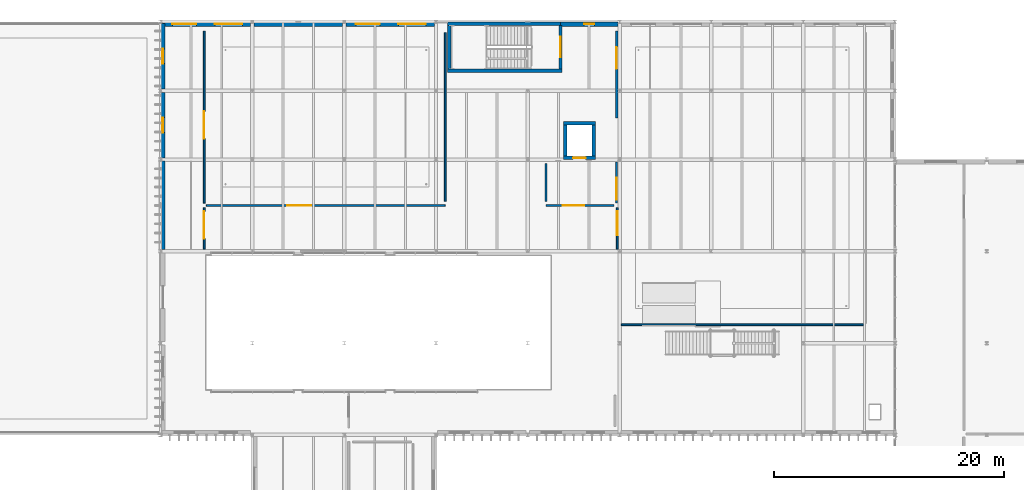
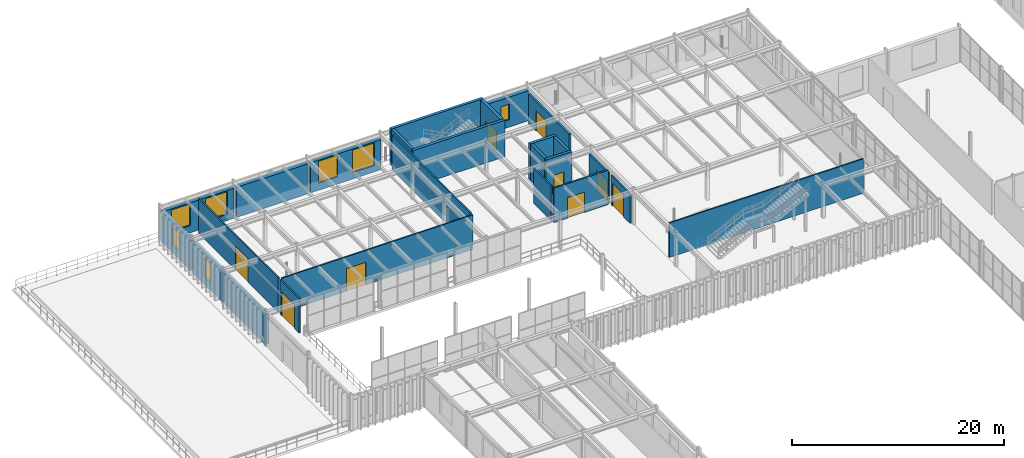
# One storey, part 86 of 122: 25 walls, 9 doors, 7 windows, 16 openings.
"""IFC4 building model written with IfcOpenShell, lengths in metres."""

from ifc_helpers import new_model, si_unit, direction, frame, frame_2d, origin, place, context, subcontext, project, spatial, rectangle, extrude, material, layer, layer_set, type_object, element, fill, save


model = new_model("IFC4")

# Units and contexts
model_context = context("Model", 3, precision=1e-05, world=origin(), true_north=direction((0.0, 1.0)))
body_context = subcontext(model_context, "Body", "Model", "MODEL_VIEW")
ifc_project = project(units=[si_unit("LENGTHUNIT", "METRE"), si_unit("AREAUNIT", "SQUARE_METRE"), si_unit("VOLUMEUNIT", "CUBIC_METRE"), si_unit("PLANEANGLEUNIT", "RADIAN"), si_unit("MASSUNIT", "GRAM", prefix="KILO")], contexts=[model_context])

# Site, building, storey
site_placement = place(None, origin())
site = spatial("IfcSite", under=ifc_project, at=site_placement, CompositionType="ELEMENT")
building_placement = place(site_placement, origin())
building = spatial("IfcBuilding", under=site, at=building_placement, Name="Sundkrona Museum", CompositionType="ELEMENT")
storey_placement = place(building_placement, frame((0.0, 0.0, 5.39990234375)))
storey = spatial("IfcBuildingStorey", under=building, at=storey_placement, Name="L01", CompositionType="ELEMENT", Elevation=5.39990234375)

# Walls
ifc_material_1 = material(Name="Concrete C40/50", Category="concrete")
ifc_layer_1 = layer(ifc_material_1, 0.300048828125)
ifc_layer_set_1 = layer_set([ifc_layer_1], Name="Concrete C40/50")
wall_type_1 = type_object("IfcWallType", Name="W-CORE-300", PredefinedType="SHEAR", material=ifc_layer_set_1)
for number, where, z_axis, x_axis, name in (
    (1, (41.0, 109.75, 0.0), (0.0, 0.0, 1.0), (1.0, 0.0, 0.0), "L01 ST-3 Core Shear Wall South"),
    (2, (41.0, 113.85009765625, 0.0), (0.0, 0.0, 1.0), (1.0, 0.0, 0.0), "L01 ST-3 Core Shear Wall North"),
):
    element("IfcWall", number, at=place(storey_placement, frame(where, z_axis=z_axis, x_axis=x_axis)), inside=storey, type_object=wall_type_1, Name=name, PredefinedType="SHEAR", context=body_context, shape_type="SweptSolid", body=[
        extrude(rectangle(XDim=10.0, YDim=0.300048828125, at=frame_2d((5.0, 0.0))), origin(), (0.0, 0.0, 1.0), 4.2001953125),
    ])
wall_1_placement = place(storey_placement, frame((41.14990234375, 109.909912109375, 0.0), z_axis=(0.0, 0.0, 1.0), x_axis=(0.0, 1.0, 0.0)))
element("IfcWall", 3, at=wall_1_placement, inside=storey, type_object=wall_type_1, Name="L01 ST-3 Core Shear Wall West", PredefinedType="SHEAR", context=body_context, shape_type="SweptSolid", body=[
    extrude(rectangle(XDim=3.780029296875, YDim=0.300048828125, at=frame_2d((1.89013671875, 0.0))), origin(), (0.0, 0.0, 1.0), 4.2001953125),
])

# Wall, opening, door
wall_2_placement = place(storey_placement, frame((50.85009765625, 109.909912109375, 0.0), z_axis=(0.0, 0.0, 1.0), x_axis=(0.0, 1.0, 0.0)))
wall_2 = element("IfcWall", 4, at=wall_2_placement, inside=storey, type_object=wall_type_1, Name="L01 ST-3 Core Shear Wall East", PredefinedType="SHEAR", context=body_context, shape_type="SweptSolid", body=[
    extrude(rectangle(XDim=3.780029296875, YDim=0.300048828125, at=frame_2d((1.89013671875, 0.0))), origin(), (0.0, 0.0, 1.0), 4.2001953125),
])
opening_1_placement = place(wall_2_placement, frame((0.989990234375, 0.0, 0.0)))
opening_1 = element("IfcOpeningElement", 5, at=opening_1_placement, cuts=wall_2, Name="Opening D-FD60", PredefinedType="OPENING", context=body_context, shape_type="SweptSolid", body=[
    extrude(rectangle(XDim=1.800048828125, YDim=2.199951171875, at=frame_2d((0.89990234375, 1.10009765625))), frame((0.0, 0.159912109375, 0.0), z_axis=(0.0, -1.0, 0.0), x_axis=(1.0, 0.0, 0.0)), (0.0, 0.0, 1.0), 0.320068359375),
])
ifc_material_2 = material(Name="Steel S355J2 Fire Door Leaf", Category="steel")
door_type_1 = type_object("IfcDoorType", Name="D-FD60", OperationType="DOUBLE_DOOR_SINGLE_SWING", PredefinedType="DOOR", material=ifc_material_2)
door_1_placement = place(opening_1_placement, origin())
door_1 = element("IfcDoor", 6, at=door_1_placement, inside=storey, type_object=door_type_1, Name="L01 ST-3 Protected Escape Stair Door DR-ST-3-L01", OperationType="DOUBLE_DOOR_SINGLE_SWING", OverallHeight=2.199951171875, OverallWidth=1.800048828125, PredefinedType="DOOR", context=body_context, shape_type="SweptSolid", body=[
    extrude(rectangle(XDim=1.800048828125, YDim=2.199951171875, at=frame_2d((0.89990234375, 1.10009765625))), frame((0.0, 0.02490234375, 0.0), z_axis=(0.0, -1.0, 0.0), x_axis=(1.0, 0.0, 0.0)), (0.0, 0.0, 1.0), 0.050048828125),
])
fill(opening_1, door_1)

wall_3_placement = place(storey_placement, frame((51.10009765625, 102.14990234375, 0.0), z_axis=(0.0, 0.0, 1.0), x_axis=(1.0, 0.0, 0.0)))
wall_3 = element("IfcWall", 7, at=wall_3_placement, inside=storey, type_object=wall_type_1, Name="L01 PL-3 Lift Shaft Wall South", PredefinedType="SHEAR", context=body_context, shape_type="SweptSolid", body=[
    extrude(rectangle(XDim=2.7998046875, YDim=0.300048828125, at=frame_2d((1.39990234375, 0.0))), origin(), (0.0, 0.0, 1.0), 4.2001953125),
])
opening_2_placement = place(wall_3_placement, frame((0.85009765625, 0.0, 0.0)))
opening_2 = element("IfcOpeningElement", 8, at=opening_2_placement, cuts=wall_3, Name="Opening LD-01", PredefinedType="OPENING", context=body_context, shape_type="SweptSolid", body=[
    extrude(rectangle(XDim=1.10009765625, YDim=2.14990234375, at=frame_2d((0.550048828125, 1.074951171875))), frame((0.0, 0.159912109375, 0.0), z_axis=(0.0, -1.0, 0.0), x_axis=(1.0, 0.0, 0.0)), (0.0, 0.0, 1.0), 0.320068359375),
])
ifc_material_3 = material(Name="Brushed Stainless Steel Lift Door", Category="steel")
door_type_2 = type_object("IfcDoorType", Name="LD-01", OperationType="SLIDING_TO_LEFT", PredefinedType="DOOR", material=ifc_material_3)
door_2_placement = place(opening_2_placement, origin())
door_2 = element("IfcDoor", 9, at=door_2_placement, inside=storey, type_object=door_type_2, Name="L01 North-West Gallery Passenger Lift PL-3 Landing Door DR-LIFT-PL-3-L01", OperationType="SLIDING_TO_LEFT", OverallHeight=2.14990234375, OverallWidth=1.10009765625, PredefinedType="DOOR", context=body_context, shape_type="SweptSolid", body=[
    extrude(rectangle(XDim=1.10009765625, YDim=2.14990234375, at=frame_2d((0.550048828125, 1.074951171875))), frame((0.0, 0.02490234375, 0.0), z_axis=(0.0, -1.0, 0.0), x_axis=(1.0, 0.0, 0.0)), (0.0, 0.0, 1.0), 0.050048828125),
])
fill(opening_2, door_2)

# Walls
wall_4_placement = place(storey_placement, frame((51.10009765625, 105.14990234375, 0.0), z_axis=(0.0, 0.0, 1.0), x_axis=(1.0, 0.0, 0.0)))
element("IfcWall", 10, at=wall_4_placement, inside=storey, type_object=wall_type_1, Name="L01 PL-3 Lift Shaft Wall North", PredefinedType="SHEAR", context=body_context, shape_type="SweptSolid", body=[
    extrude(rectangle(XDim=2.7998046875, YDim=0.300048828125, at=frame_2d((1.39990234375, 0.0))), origin(), (0.0, 0.0, 1.0), 4.2001953125),
])
for number, where, z_axis, x_axis, name in (
    (11, (51.25, 102.31005859375, 0.0), (0.0, 0.0, 1.0), (0.0, 1.0, 0.0), "L01 PL-3 Lift Shaft Wall West"),
    (12, (53.75, 102.31005859375, 0.0), (0.0, 0.0, 1.0), (0.0, 1.0, 0.0), "L01 PL-3 Lift Shaft Wall East"),
):
    element("IfcWall", number, at=place(storey_placement, frame(where, z_axis=z_axis, x_axis=x_axis)), inside=storey, type_object=wall_type_1, Name=name, PredefinedType="SHEAR", context=body_context, shape_type="SweptSolid", body=[
        extrude(rectangle(XDim=2.679931640625, YDim=0.300048828125, at=frame_2d((1.33984375, 0.0))), origin(), (0.0, 0.0, 1.0), 4.2001953125),
    ])
ifc_material_4 = material(Name="Scanian Polychrome Clay Brickwork 390 mm", Category="masonry")
ifc_layer_2 = layer(ifc_material_4, 0.389892578125)
ifc_layer_set_2 = layer_set([ifc_layer_2], Name="Scanian Polychrome Clay Brickwork 390 mm")
wall_type_2 = type_object("IfcWallType", Name="W-EX-390", PredefinedType="SOLIDWALL", material=ifc_layer_set_2)
wall_5_placement = place(storey_placement, frame((16.195068359375, 94.14208984375, 0.0), z_axis=(0.0, 0.0, 1.0), x_axis=(0.0, 1.0, 0.0)))
element("IfcWall", 13, at=wall_5_placement, inside=storey, type_object=wall_type_2, Name="L01 Facade Wall 0124", PredefinedType="SOLIDWALL", context=body_context, shape_type="SweptSolid", body=[
    extrude(rectangle(XDim=7.7158203125, YDim=0.389892578125, at=frame_2d((3.85791015625, 0.0))), origin(), (0.0, 0.0, 1.0), 3.455078125),
])

# Wall, opening, window
wall_6_placement = place(storey_placement, frame((16.195068359375, 102.14208984375, 0.0), z_axis=(0.0, 0.0, 1.0), x_axis=(0.0, 1.0, 0.0)))
wall_6 = element("IfcWall", 14, at=wall_6_placement, inside=storey, type_object=wall_type_2, Name="L01 Facade Wall 0125", PredefinedType="SOLIDWALL", context=body_context, shape_type="SweptSolid", body=[
    extrude(rectangle(XDim=5.7158203125, YDim=0.389892578125, at=frame_2d((2.85791015625, 0.0))), origin(), (0.0, 0.0, 1.0), 3.455078125),
])
opening_3_placement = place(wall_6_placement, frame((2.2080078125, 0.0, 0.85009765625)))
opening_3 = element("IfcOpeningElement", 15, at=opening_3_placement, cuts=wall_6, Name="Opening WN-GL-130x220", PredefinedType="OPENING", context=body_context, shape_type="SweptSolid", body=[
    extrude(rectangle(XDim=1.300048828125, YDim=2.199951171875, at=frame_2d((0.64990234375, 1.10009765625))), frame((0.0, 0.204833984375, 0.0), z_axis=(0.0, -1.0, 0.0), x_axis=(1.0, 0.0, 0.0)), (0.0, 0.0, 1.0), 0.409912109375),
])
ifc_material_5 = material(Name="Triple Low-E Argon Glazing in Bronze-Anodised Aluminium", Category="aluminium")
window_type_1 = type_object("IfcWindowType", Name="WN-GL-130x220", PartitioningType="SINGLE_PANEL", PredefinedType="WINDOW", material=ifc_material_5)
window_1_placement = place(opening_3_placement, origin())
window_1 = element("IfcWindow", 16, at=window_1_placement, inside=storey, type_object=window_type_1, Name="L01 Cabinet gallery window 1300x2200 WIN-L01-0170", OverallHeight=2.199951171875, OverallWidth=1.300048828125, PartitioningType="SINGLE_PANEL", PredefinedType="WINDOW", context=body_context, shape_type="SweptSolid", body=[
    extrude(rectangle(XDim=1.300048828125, YDim=2.199951171875, at=frame_2d((0.64990234375, 1.10009765625))), frame((0.0, 0.030029296875, 0.0), z_axis=(0.0, -1.0, 0.0), x_axis=(1.0, 0.0, 0.0)), (0.0, 0.0, 1.0), 0.06005859375),
])
fill(opening_3, window_1)

wall_7_placement = place(storey_placement, frame((16.195068359375, 108.14208984375, 0.0), z_axis=(0.0, 0.0, 1.0), x_axis=(0.0, 1.0, 0.0)))
wall_7 = element("IfcWall", 17, at=wall_7_placement, inside=storey, type_object=wall_type_2, Name="L01 Facade Wall 0126", PredefinedType="SOLIDWALL", context=body_context, shape_type="SweptSolid", body=[
    extrude(rectangle(XDim=5.7158203125, YDim=0.389892578125, at=frame_2d((2.85791015625, 0.0))), origin(), (0.0, 0.0, 1.0), 3.455078125),
])
opening_4_placement = place(wall_7_placement, frame((2.2080078125, 0.0, 0.85009765625)))
opening_4 = element("IfcOpeningElement", 18, at=opening_4_placement, cuts=wall_7, Name="Opening WN-GL-130x220", PredefinedType="OPENING", context=body_context, shape_type="SweptSolid", body=[
    extrude(rectangle(XDim=1.300048828125, YDim=2.199951171875, at=frame_2d((0.64990234375, 1.10009765625))), frame((0.0, 0.204833984375, 0.0), z_axis=(0.0, -1.0, 0.0), x_axis=(1.0, 0.0, 0.0)), (0.0, 0.0, 1.0), 0.409912109375),
])
window_2_placement = place(opening_4_placement, origin())
window_2 = element("IfcWindow", 19, at=window_2_placement, inside=storey, type_object=window_type_1, Name="L01 Cabinet gallery window 1300x2200 WIN-L01-0171", OverallHeight=2.199951171875, OverallWidth=1.300048828125, PartitioningType="SINGLE_PANEL", PredefinedType="WINDOW", context=body_context, shape_type="SweptSolid", body=[
    extrude(rectangle(XDim=1.300048828125, YDim=2.199951171875, at=frame_2d((0.64990234375, 1.10009765625))), frame((0.0, 0.030029296875, 0.0), z_axis=(0.0, -1.0, 0.0), x_axis=(1.0, 0.0, 0.0)), (0.0, 0.0, 1.0), 0.06005859375),
])
fill(opening_4, window_2)

# Wall, openings, windows
wall_8_placement = place(storey_placement, frame((16.14208984375, 113.804931640625, 0.0), z_axis=(0.0, 0.0, 1.0), x_axis=(1.0, 0.0, 0.0)))
wall_8 = element("IfcWall", 20, at=wall_8_placement, inside=storey, type_object=wall_type_2, Name="L01 Facade Wall 0127", PredefinedType="SOLIDWALL", context=body_context, shape_type="SweptSolid", body=[
    extrude(rectangle(XDim=7.7158203125, YDim=0.389892578125, at=frame_2d((3.85791015625, 0.0))), origin(), (0.0, 0.0, 1.0), 3.455078125),
])
opening_5_placement = place(wall_8_placement, frame((0.87890625, 0.0, 0.820068359375)))
opening_5 = element("IfcOpeningElement", 21, at=opening_5_placement, cuts=wall_8, Name="Opening WN-GL-210x250", PredefinedType="OPENING", context=body_context, shape_type="SweptSolid", body=[
    extrude(rectangle(XDim=2.10009765625, YDim=2.5, at=frame_2d((1.050048828125, 1.25))), frame((0.0, 0.204833984375, 0.0), z_axis=(0.0, -1.0, 0.0), x_axis=(1.0, 0.0, 0.0)), (0.0, 0.0, 1.0), 0.409912109375),
])
opening_6_placement = place(wall_8_placement, frame((4.5869140625, 0.0, 0.719970703125)))
opening_6 = element("IfcOpeningElement", 22, at=opening_6_placement, cuts=wall_8, Name="Opening WN-GL-240x260", PredefinedType="OPENING", context=body_context, shape_type="SweptSolid", body=[
    extrude(rectangle(XDim=2.39990234375, YDim=2.60009765625, at=frame_2d((1.199951171875, 1.300048828125))), frame((0.0, 0.204833984375, 0.0), z_axis=(0.0, -1.0, 0.0), x_axis=(1.0, 0.0, 0.0)), (0.0, 0.0, 1.0), 0.409912109375),
])
window_type_2 = type_object("IfcWindowType", Name="WN-GL-210x250", PartitioningType="DOUBLE_PANEL_VERTICAL", PredefinedType="WINDOW", material=ifc_material_5)
window_3_placement = place(opening_5_placement, origin())
window_3 = element("IfcWindow", 23, at=window_3_placement, inside=storey, type_object=window_type_2, Name="L01 Botanical court outlook window 2100x2500 WIN-L01-0172", OverallHeight=2.5, OverallWidth=2.10009765625, PartitioningType="DOUBLE_PANEL_VERTICAL", PredefinedType="WINDOW", context=body_context, shape_type="SweptSolid", body=[
    extrude(rectangle(XDim=2.10009765625, YDim=2.5, at=frame_2d((1.050048828125, 1.25))), frame((0.0, 0.030029296875, 0.0), z_axis=(0.0, -1.0, 0.0), x_axis=(1.0, 0.0, 0.0)), (0.0, 0.0, 1.0), 0.06005859375),
])
fill(opening_5, window_3)
window_type_3 = type_object("IfcWindowType", Name="WN-GL-240x260", PartitioningType="TRIPLE_PANEL_VERTICAL", PredefinedType="WINDOW", material=ifc_material_5)
window_4_placement = place(opening_6_placement, origin())
window_4 = element("IfcWindow", 24, at=window_4_placement, inside=storey, type_object=window_type_3, Name="L01 Cloister garden picture window 2400x2600 WIN-L01-0173", OverallHeight=2.60009765625, OverallWidth=2.39990234375, PartitioningType="TRIPLE_PANEL_VERTICAL", PredefinedType="WINDOW", context=body_context, shape_type="SweptSolid", body=[
    extrude(rectangle(XDim=2.39990234375, YDim=2.60009765625, at=frame_2d((1.199951171875, 1.300048828125))), frame((0.0, 0.030029296875, 0.0), z_axis=(0.0, -1.0, 0.0), x_axis=(1.0, 0.0, 0.0)), (0.0, 0.0, 1.0), 0.06005859375),
])
fill(opening_6, window_4)

# Wall
wall_9_placement = place(storey_placement, frame((24.14208984375, 113.804931640625, 0.0), z_axis=(0.0, 0.0, 1.0), x_axis=(1.0, 0.0, 0.0)))
element("IfcWall", 25, at=wall_9_placement, inside=storey, type_object=wall_type_2, Name="L01 Facade Wall 0128", PredefinedType="SOLIDWALL", context=body_context, shape_type="SweptSolid", body=[
    extrude(rectangle(XDim=7.7158203125, YDim=0.389892578125, at=frame_2d((3.85791015625, 0.0))), origin(), (0.0, 0.0, 1.0), 3.455078125),
])

# Wall, openings, windows
wall_10_placement = place(storey_placement, frame((32.14208984375, 113.804931640625, 0.0), z_axis=(0.0, 0.0, 1.0), x_axis=(1.0, 0.0, 0.0)))
wall_10 = element("IfcWall", 26, at=wall_10_placement, inside=storey, type_object=wall_type_2, Name="L01 Facade Wall 0129", PredefinedType="SOLIDWALL", context=body_context, shape_type="SweptSolid", body=[
    extrude(rectangle(XDim=7.7158203125, YDim=0.389892578125, at=frame_2d((3.85791015625, 0.0))), origin(), (0.0, 0.0, 1.0), 3.455078125),
])
opening_7_placement = place(wall_10_placement, frame((0.87890625, 0.0, 0.820068359375)))
opening_7 = element("IfcOpeningElement", 27, at=opening_7_placement, cuts=wall_10, Name="Opening WN-GL-210x250", PredefinedType="OPENING", context=body_context, shape_type="SweptSolid", body=[
    extrude(rectangle(XDim=2.10009765625, YDim=2.5, at=frame_2d((1.050048828125, 1.25))), frame((0.0, 0.204833984375, 0.0), z_axis=(0.0, -1.0, 0.0), x_axis=(1.0, 0.0, 0.0)), (0.0, 0.0, 1.0), 0.409912109375),
])
opening_8_placement = place(wall_10_placement, frame((4.5869140625, 0.0, 0.719970703125)))
opening_8 = element("IfcOpeningElement", 28, at=opening_8_placement, cuts=wall_10, Name="Opening WN-GL-240x260", PredefinedType="OPENING", context=body_context, shape_type="SweptSolid", body=[
    extrude(rectangle(XDim=2.39990234375, YDim=2.60009765625, at=frame_2d((1.199951171875, 1.300048828125))), frame((0.0, 0.204833984375, 0.0), z_axis=(0.0, -1.0, 0.0), x_axis=(1.0, 0.0, 0.0)), (0.0, 0.0, 1.0), 0.409912109375),
])
window_5_placement = place(opening_7_placement, origin())
window_5 = element("IfcWindow", 29, at=window_5_placement, inside=storey, type_object=window_type_2, Name="L01 Botanical court outlook window 2100x2500 WIN-L01-0174", OverallHeight=2.5, OverallWidth=2.10009765625, PartitioningType="DOUBLE_PANEL_VERTICAL", PredefinedType="WINDOW", context=body_context, shape_type="SweptSolid", body=[
    extrude(rectangle(XDim=2.10009765625, YDim=2.5, at=frame_2d((1.050048828125, 1.25))), frame((0.0, 0.030029296875, 0.0), z_axis=(0.0, -1.0, 0.0), x_axis=(1.0, 0.0, 0.0)), (0.0, 0.0, 1.0), 0.06005859375),
])
fill(opening_7, window_5)
window_6_placement = place(opening_8_placement, origin())
window_6 = element("IfcWindow", 30, at=window_6_placement, inside=storey, type_object=window_type_3, Name="L01 Cloister garden picture window 2400x2600 WIN-L01-0175", OverallHeight=2.60009765625, OverallWidth=2.39990234375, PartitioningType="TRIPLE_PANEL_VERTICAL", PredefinedType="WINDOW", context=body_context, shape_type="SweptSolid", body=[
    extrude(rectangle(XDim=2.39990234375, YDim=2.60009765625, at=frame_2d((1.199951171875, 1.300048828125))), frame((0.0, 0.030029296875, 0.0), z_axis=(0.0, -1.0, 0.0), x_axis=(1.0, 0.0, 0.0)), (0.0, 0.0, 1.0), 0.06005859375),
])
fill(opening_8, window_6)

# Wall, opening, window
wall_11_placement = place(storey_placement, frame((50.860107421875, 113.804931640625, 0.0), z_axis=(0.0, 0.0, 1.0), x_axis=(1.0, 0.0, 0.0)))
wall_11 = element("IfcWall", 31, at=wall_11_placement, inside=storey, type_object=wall_type_2, Name="L01 Facade Wall 0130", PredefinedType="SOLIDWALL", context=body_context, shape_type="SweptSolid", body=[
    extrude(rectangle(XDim=4.997802734375, YDim=0.389892578125, at=frame_2d((2.4990234375, 0.0))), origin(), (0.0, 0.0, 1.0), 3.455078125),
])
opening_9_placement = place(wall_11_placement, frame((2.049072265625, 0.0, 0.85009765625)))
opening_9 = element("IfcOpeningElement", 32, at=opening_9_placement, cuts=wall_11, Name="Opening WN-ST-090x180", PredefinedType="OPENING", context=body_context, shape_type="SweptSolid", body=[
    extrude(rectangle(XDim=0.89990234375, YDim=1.800048828125, at=frame_2d((0.449951171875, 0.89990234375))), frame((0.0, 0.204833984375, 0.0), z_axis=(0.0, -1.0, 0.0), x_axis=(1.0, 0.0, 0.0)), (0.0, 0.0, 1.0), 0.409912109375),
])
window_type_4 = type_object("IfcWindowType", Name="WN-ST-090x180", PartitioningType="SINGLE_PANEL", PredefinedType="WINDOW", material=ifc_material_5)
window_7_placement = place(opening_9_placement, origin())
window_7 = element("IfcWindow", 33, at=window_7_placement, inside=storey, type_object=window_type_4, Name="L01 Stair-core avenue daylight slot window 900x1800 WIN-L01-0176", OverallHeight=1.800048828125, OverallWidth=0.89990234375, PartitioningType="SINGLE_PANEL", PredefinedType="WINDOW", context=body_context, shape_type="SweptSolid", body=[
    extrude(rectangle(XDim=0.89990234375, YDim=1.800048828125, at=frame_2d((0.449951171875, 0.89990234375))), frame((0.0, 0.030029296875, 0.0), z_axis=(0.0, -1.0, 0.0), x_axis=(1.0, 0.0, 0.0)), (0.0, 0.0, 1.0), 0.06005859375),
])
fill(opening_9, window_7)

# Wall, opening, door
ifc_material_6 = material(Name="Autoclaved Aerated Masonry 225 mm", Category="masonry")
ifc_layer_3 = layer(ifc_material_6, 0.22509765625)
ifc_layer_set_3 = layer_set([ifc_layer_3], Name="Autoclaved Aerated Masonry 225 mm")
wall_type_3 = type_object("IfcWallType", Name="W-FF-225", PredefinedType="SOLIDWALL", material=ifc_layer_set_3)
wall_12_placement = place(storey_placement, frame((55.75, 105.60009765625, 0.0), z_axis=(0.0, 0.0, 1.0), x_axis=(0.0, 1.0, 0.0)))
wall_12 = element("IfcWall", 34, at=wall_12_placement, inside=storey, type_object=wall_type_3, Name="L01 Partition Core 3 Stair Lobby / Graphic Arts Cabinet", PredefinedType="SOLIDWALL", context=body_context, shape_type="SweptSolid", body=[
    extrude(rectangle(XDim=7.599853515625, YDim=0.22509765625, at=frame_2d((3.7998046875, 0.0))), origin(), (0.0, 0.0, 1.0), 3.420166015625),
])
opening_10_placement = place(wall_12_placement, frame((4.30712890625, 0.0, 0.0)))
opening_10 = element("IfcOpeningElement", 35, at=opening_10_placement, cuts=wall_12, Name="Opening D-AUD-190", PredefinedType="OPENING", context=body_context, shape_type="SweptSolid", body=[
    extrude(rectangle(XDim=1.89990234375, YDim=2.35009765625, at=frame_2d((0.949951171875, 1.175048828125))), frame((0.0, 0.12255859375, 0.0), z_axis=(0.0, -1.0, 0.0), x_axis=(1.0, 0.0, 0.0)), (0.0, 0.0, 1.0), 0.2451171875),
])
ifc_material_7 = material(Name="Acoustic Oak Fire Door", Category="other")
door_type_3 = type_object("IfcDoorType", Name="D-AUD-190", OperationType="DOUBLE_DOOR_SINGLE_SWING", PredefinedType="DOOR", material=ifc_material_7)
door_3_placement = place(opening_10_placement, origin())
door_3 = element("IfcDoor", 36, at=door_3_placement, inside=storey, type_object=door_type_3, Name="L01 Interior Door DR-ADJ-L01-0083", OperationType="DOUBLE_DOOR_SINGLE_SWING", OverallHeight=2.35009765625, OverallWidth=1.89990234375, PredefinedType="DOOR", context=body_context, shape_type="SweptSolid", body=[
    extrude(rectangle(XDim=1.89990234375, YDim=2.35009765625, at=frame_2d((0.949951171875, 1.175048828125))), frame((0.0, 0.02490234375, 0.0), z_axis=(0.0, -1.0, 0.0), x_axis=(1.0, 0.0, 0.0)), (0.0, 0.0, 1.0), 0.050048828125),
])
fill(opening_10, door_3)

ifc_material_8 = material(Name="Acoustic Gypsum Partition Board 150 mm", Category="other")
ifc_layer_4 = layer(ifc_material_8, 0.14990234375)
ifc_layer_set_4 = layer_set([ifc_layer_4], Name="Acoustic Gypsum Partition Board 150 mm")
wall_type_4 = type_object("IfcWallType", Name="W-PT-150", PredefinedType="PARTITIONING", material=ifc_layer_set_4)
wall_13_placement = place(storey_placement, frame((19.800048828125, 94.199951171875, 0.0), z_axis=(0.0, 0.0, 1.0), x_axis=(0.0, 1.0, 0.0)))
wall_13 = element("IfcWall", 37, at=wall_13_placement, inside=storey, type_object=wall_type_4, Name="L01 Partition North Studio Corridor / Decorative Arts Gallery", PredefinedType="PARTITIONING", context=body_context, shape_type="SweptSolid", body=[
    extrude(rectangle(XDim=3.60009765625, YDim=0.14990234375, at=frame_2d((1.800048828125, 0.0))), origin(), (0.0, 0.0, 1.0), 3.960205078125),
])
opening_11_placement = place(wall_13_placement, frame((0.89990234375, 0.0, 0.0)))
opening_11 = element("IfcOpeningElement", 38, at=opening_11_placement, cuts=wall_13, Name="Opening D-GAL-240", PredefinedType="OPENING", context=body_context, shape_type="SweptSolid", body=[
    extrude(rectangle(XDim=2.39990234375, YDim=2.75, at=frame_2d((1.199951171875, 1.375))), frame((0.0, 0.0849609375, 0.0), z_axis=(0.0, -1.0, 0.0), x_axis=(1.0, 0.0, 0.0)), (0.0, 0.0, 1.0), 0.169921875),
])
ifc_material_9 = material(Name="European Oak and Bronze Portal", Category="other")
door_type_4 = type_object("IfcDoorType", Name="D-GAL-240", OperationType="DOUBLE_DOOR_DOUBLE_SWING", PredefinedType="DOOR", material=ifc_material_9)
door_4_placement = place(opening_11_placement, origin())
door_4 = element("IfcDoor", 39, at=door_4_placement, inside=storey, type_object=door_type_4, Name="L01 Interior Door DR-ADJ-L01-0101", OperationType="DOUBLE_DOOR_DOUBLE_SWING", OverallHeight=2.75, OverallWidth=2.39990234375, PredefinedType="DOOR", context=body_context, shape_type="SweptSolid", body=[
    extrude(rectangle(XDim=2.39990234375, YDim=2.75, at=frame_2d((1.199951171875, 1.375))), frame((0.0, 0.02490234375, 0.0), z_axis=(0.0, -1.0, 0.0), x_axis=(1.0, 0.0, 0.0)), (0.0, 0.0, 1.0), 0.050048828125),
])
fill(opening_11, door_4)

wall_14_placement = place(storey_placement, frame((20.0, 98.0, 0.0), z_axis=(0.0, 0.0, 1.0), x_axis=(1.0, 0.0, 0.0)))
wall_14 = element("IfcWall", 40, at=wall_14_placement, inside=storey, type_object=wall_type_4, Name="L01 Partition North Studio Corridor / Scandinavian Tapestry Cabinet", PredefinedType="PARTITIONING", context=body_context, shape_type="SweptSolid", body=[
    extrude(rectangle(XDim=20.800048828125, YDim=0.14990234375, at=frame_2d((10.39990234375, 0.0))), origin(), (0.0, 0.0, 1.0), 3.960205078125),
])
opening_12_placement = place(wall_14_placement, frame((7.043212890625, 0.0, 0.0)))
opening_12 = element("IfcOpeningElement", 41, at=opening_12_placement, cuts=wall_14, Name="Opening D-GAL-210", PredefinedType="OPENING", context=body_context, shape_type="SweptSolid", body=[
    extrude(rectangle(XDim=2.10009765625, YDim=2.60009765625, at=frame_2d((1.050048828125, 1.300048828125))), frame((0.0, 0.0849609375, 0.0), z_axis=(0.0, -1.0, 0.0), x_axis=(1.0, 0.0, 0.0)), (0.0, 0.0, 1.0), 0.169921875),
])
ifc_material_10 = material(Name="European Oak Gallery Door", Category="other")
door_type_5 = type_object("IfcDoorType", Name="D-GAL-210", OperationType="DOUBLE_DOOR_SINGLE_SWING", PredefinedType="DOOR", material=ifc_material_10)
door_5_placement = place(opening_12_placement, origin())
door_5 = element("IfcDoor", 42, at=door_5_placement, inside=storey, type_object=door_type_5, Name="L01 Interior Door DR-ADJ-L01-0102", OperationType="DOUBLE_DOOR_SINGLE_SWING", OverallHeight=2.60009765625, OverallWidth=2.10009765625, PredefinedType="DOOR", context=body_context, shape_type="SweptSolid", body=[
    extrude(rectangle(XDim=2.10009765625, YDim=2.60009765625, at=frame_2d((1.050048828125, 1.300048828125))), frame((0.0, 0.02490234375, 0.0), z_axis=(0.0, -1.0, 0.0), x_axis=(1.0, 0.0, 0.0)), (0.0, 0.0, 1.0), 0.050048828125),
])
fill(opening_12, door_5)

wall_15_placement = place(storey_placement, frame((55.800048828125, 94.199951171875, 0.0), z_axis=(0.0, 0.0, 1.0), x_axis=(0.0, 1.0, 0.0)))
wall_15 = element("IfcWall", 43, at=wall_15_placement, inside=storey, type_object=wall_type_4, Name="L01 Partition North Studio Corridor / Graphic Arts Cabinet", PredefinedType="PARTITIONING", context=body_context, shape_type="SweptSolid", body=[
    extrude(rectangle(XDim=3.60009765625, YDim=0.14990234375, at=frame_2d((1.800048828125, 0.0))), origin(), (0.0, 0.0, 1.0), 3.420166015625),
])
opening_13_placement = place(wall_15_placement, frame((1.199951171875, 0.0, 0.0)))
opening_13 = element("IfcOpeningElement", 44, at=opening_13_placement, cuts=wall_15, Name="Opening D-GAL-210", PredefinedType="OPENING", context=body_context, shape_type="SweptSolid", body=[
    extrude(rectangle(XDim=2.10009765625, YDim=2.60009765625, at=frame_2d((1.050048828125, 1.300048828125))), frame((0.0, 0.0849609375, 0.0), z_axis=(0.0, -1.0, 0.0), x_axis=(1.0, 0.0, 0.0)), (0.0, 0.0, 1.0), 0.169921875),
])
door_6_placement = place(opening_13_placement, origin())
door_6 = element("IfcDoor", 45, at=door_6_placement, inside=storey, type_object=door_type_5, Name="L01 Interior Door DR-ADJ-L01-0103", OperationType="DOUBLE_DOOR_SINGLE_SWING", OverallHeight=2.60009765625, OverallWidth=2.10009765625, PredefinedType="DOOR", context=body_context, shape_type="SweptSolid", body=[
    extrude(rectangle(XDim=2.10009765625, YDim=2.60009765625, at=frame_2d((1.050048828125, 1.300048828125))), frame((0.0, 0.02490234375, 0.0), z_axis=(0.0, -1.0, 0.0), x_axis=(1.0, 0.0, 0.0)), (0.0, 0.0, 1.0), 0.050048828125),
])
fill(opening_13, door_6)

wall_16_placement = place(storey_placement, frame((19.800048828125, 98.199951171875, 0.0), z_axis=(0.0, 0.0, 1.0), x_axis=(0.0, 1.0, 0.0)))
wall_16 = element("IfcWall", 46, at=wall_16_placement, inside=storey, type_object=wall_type_4, Name="L01 Partition Decorative Arts Gallery / Scandinavian Tapestry Cabinet", PredefinedType="PARTITIONING", context=body_context, shape_type="SweptSolid", body=[
    extrude(rectangle(XDim=15.0, YDim=0.14990234375, at=frame_2d((7.5, 0.0))), origin(), (0.0, 0.0, 1.0), 3.960205078125),
])
opening_14_placement = place(wall_16_placement, frame((5.593994140625, 0.0, 0.0)))
opening_14 = element("IfcOpeningElement", 47, at=opening_14_placement, cuts=wall_16, Name="Opening D-GAL-240", PredefinedType="OPENING", context=body_context, shape_type="SweptSolid", body=[
    extrude(rectangle(XDim=2.39990234375, YDim=2.75, at=frame_2d((1.199951171875, 1.375))), frame((0.0, 0.0849609375, 0.0), z_axis=(0.0, -1.0, 0.0), x_axis=(1.0, 0.0, 0.0)), (0.0, 0.0, 1.0), 0.169921875),
])
door_7_placement = place(opening_14_placement, origin())
door_7 = element("IfcDoor", 48, at=door_7_placement, inside=storey, type_object=door_type_4, Name="L01 Interior Door DR-ADJ-L01-0107", OperationType="DOUBLE_DOOR_DOUBLE_SWING", OverallHeight=2.75, OverallWidth=2.39990234375, PredefinedType="DOOR", context=body_context, shape_type="SweptSolid", body=[
    extrude(rectangle(XDim=2.39990234375, YDim=2.75, at=frame_2d((1.199951171875, 1.375))), frame((0.0, 0.02490234375, 0.0), z_axis=(0.0, -1.0, 0.0), x_axis=(1.0, 0.0, 0.0)), (0.0, 0.0, 1.0), 0.050048828125),
])
fill(opening_14, door_7)

# Walls
wall_17_placement = place(storey_placement, frame((40.800048828125, 98.35009765625, 0.0), z_axis=(0.0, 0.0, 1.0), x_axis=(0.0, 1.0, 0.0)))
element("IfcWall", 49, at=wall_17_placement, inside=storey, type_object=wall_type_4, Name="L01 Scandinavian Tapestry Cabinet Enclosure Wall E", PredefinedType="PARTITIONING", context=body_context, shape_type="SweptSolid", body=[
    extrude(rectangle(XDim=14.699951171875, YDim=0.14990234375, at=frame_2d((7.35009765625, 0.0))), origin(), (0.0, 0.0, 1.0), 3.960205078125),
])
wall_18_placement = place(storey_placement, frame((56.14990234375, 87.60009765625, 0.0), z_axis=(0.0, 0.0, 1.0), x_axis=(1.0, 0.0, 0.0)))
element("IfcWall", 50, at=wall_18_placement, inside=storey, type_object=wall_type_4, Name="L01 Graphic Arts Cabinet Enclosure Wall S", PredefinedType="PARTITIONING", context=body_context, shape_type="SweptSolid", body=[
    extrude(rectangle(XDim=21.10009765625, YDim=0.14990234375, at=frame_2d((10.550048828125, 0.0))), origin(), (0.0, 0.0, 1.0), 3.960205078125),
])

# Wall, opening, door
ifc_material_11 = material(Name="Fire-rated Gypsum Partition Board 175 mm", Category="other")
ifc_layer_5 = layer(ifc_material_11, 0.175048828125)
ifc_layer_set_5 = layer_set([ifc_layer_5], Name="Fire-rated Gypsum Partition Board 175 mm")
wall_type_5 = type_object("IfcWallType", Name="W-PT-175", PredefinedType="PARTITIONING", material=ifc_layer_set_5)
wall_19_placement = place(storey_placement, frame((49.60009765625, 98.0, 0.0), z_axis=(0.0, 0.0, 1.0), x_axis=(1.0, 0.0, 0.0)))
wall_19 = element("IfcWall", 51, at=wall_19_placement, inside=storey, type_object=wall_type_5, Name="L01 Partition North-West Lift Lobby / North Studio Corridor", PredefinedType="PARTITIONING", context=body_context, shape_type="SweptSolid", body=[
    extrude(rectangle(XDim=5.89990234375, YDim=0.175048828125, at=frame_2d((2.949951171875, 0.0))), origin(), (0.0, 0.0, 1.0), 3.960205078125),
])
opening_15_placement = place(wall_19_placement, frame((1.433349609375, 0.0, 0.0)))
opening_15 = element("IfcOpeningElement", 52, at=opening_15_placement, cuts=wall_19, Name="Opening D-AUD-190", PredefinedType="OPENING", context=body_context, shape_type="SweptSolid", body=[
    extrude(rectangle(XDim=1.89990234375, YDim=2.35009765625, at=frame_2d((0.949951171875, 1.175048828125))), frame((0.0, 0.097412109375, 0.0), z_axis=(0.0, -1.0, 0.0), x_axis=(1.0, 0.0, 0.0)), (0.0, 0.0, 1.0), 0.195068359375),
])
door_8_placement = place(opening_15_placement, origin())
door_8 = element("IfcDoor", 53, at=door_8_placement, inside=storey, type_object=door_type_3, Name="L01 Interior Door DR-ADJ-L01-0084", OperationType="DOUBLE_DOOR_SINGLE_SWING", OverallHeight=2.35009765625, OverallWidth=1.89990234375, PredefinedType="DOOR", context=body_context, shape_type="SweptSolid", body=[
    extrude(rectangle(XDim=1.89990234375, YDim=2.35009765625, at=frame_2d((0.949951171875, 1.175048828125))), frame((0.0, 0.02490234375, 0.0), z_axis=(0.0, -1.0, 0.0), x_axis=(1.0, 0.0, 0.0)), (0.0, 0.0, 1.0), 0.050048828125),
])
fill(opening_15, door_8)

wall_20_placement = place(storey_placement, frame((55.75, 98.199951171875, 0.0), z_axis=(0.0, 0.0, 1.0), x_axis=(0.0, 1.0, 0.0)))
wall_20 = element("IfcWall", 54, at=wall_20_placement, inside=storey, type_object=wall_type_5, Name="L01 Partition North-West Lift Lobby / Graphic Arts Cabinet", PredefinedType="PARTITIONING", context=body_context, shape_type="SweptSolid", body=[
    extrude(rectangle(XDim=3.60009765625, YDim=0.175048828125, at=frame_2d((1.800048828125, 0.0))), origin(), (0.0, 0.0, 1.0), 3.420166015625),
])
opening_16_placement = place(wall_20_placement, frame((0.300048828125, 0.0, 0.0)))
opening_16 = element("IfcOpeningElement", 55, at=opening_16_placement, cuts=wall_20, Name="Opening D-AUD-190", PredefinedType="OPENING", context=body_context, shape_type="SweptSolid", body=[
    extrude(rectangle(XDim=1.89990234375, YDim=2.35009765625, at=frame_2d((0.949951171875, 1.175048828125))), frame((0.0, 0.097412109375, 0.0), z_axis=(0.0, -1.0, 0.0), x_axis=(1.0, 0.0, 0.0)), (0.0, 0.0, 1.0), 0.195068359375),
])
door_9_placement = place(opening_16_placement, origin())
door_9 = element("IfcDoor", 56, at=door_9_placement, inside=storey, type_object=door_type_3, Name="L01 Interior Door DR-ADJ-L01-0085", OperationType="DOUBLE_DOOR_SINGLE_SWING", OverallHeight=2.35009765625, OverallWidth=1.89990234375, PredefinedType="DOOR", context=body_context, shape_type="SweptSolid", body=[
    extrude(rectangle(XDim=1.89990234375, YDim=2.35009765625, at=frame_2d((0.949951171875, 1.175048828125))), frame((0.0, 0.02490234375, 0.0), z_axis=(0.0, -1.0, 0.0), x_axis=(1.0, 0.0, 0.0)), (0.0, 0.0, 1.0), 0.050048828125),
])
fill(opening_16, door_9)

# Wall
wall_21_placement = place(storey_placement, frame((49.60009765625, 98.35009765625, 0.0), z_axis=(0.0, 0.0, 1.0), x_axis=(0.0, 1.0, 0.0)))
element("IfcWall", 57, at=wall_21_placement, inside=storey, type_object=wall_type_5, Name="L01 North-West Lift Lobby Enclosure Wall W", PredefinedType="PARTITIONING", context=body_context, shape_type="SweptSolid", body=[
    extrude(rectangle(XDim=3.2998046875, YDim=0.175048828125, at=frame_2d((1.64990234375, 0.0))), origin(), (0.0, 0.0, 1.0), 3.960205078125),
])

save(model, "model.ifc")
